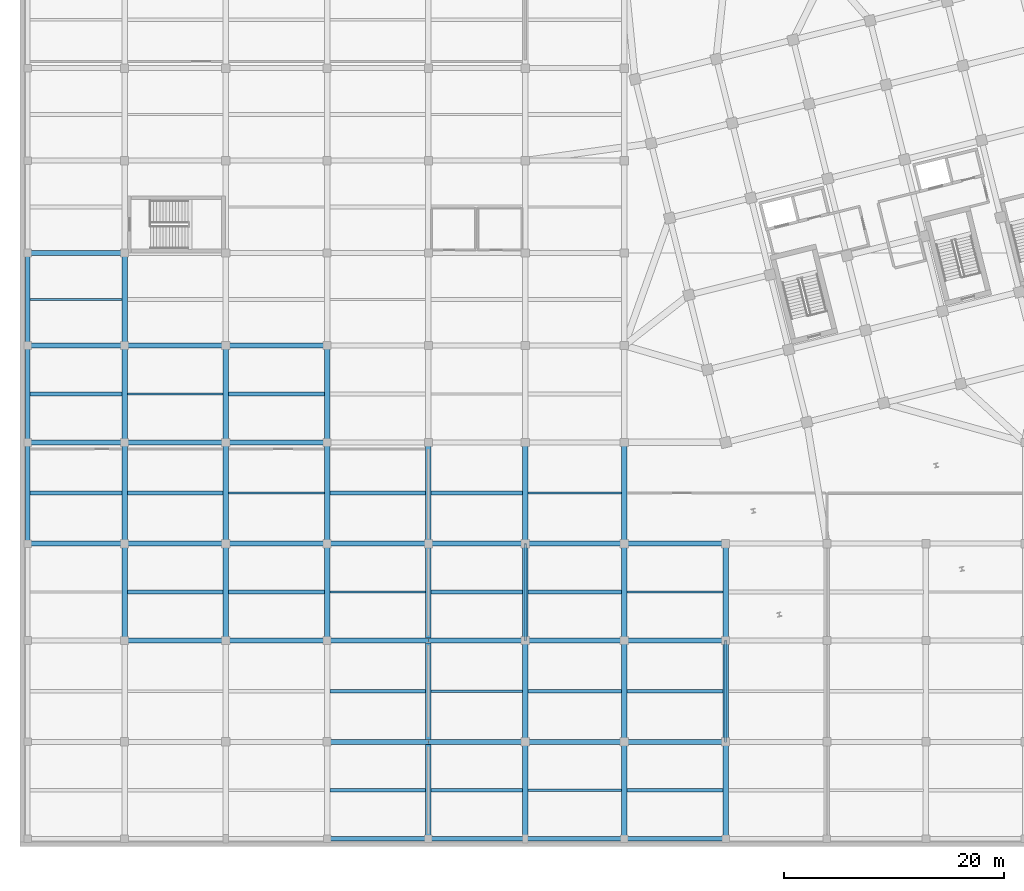
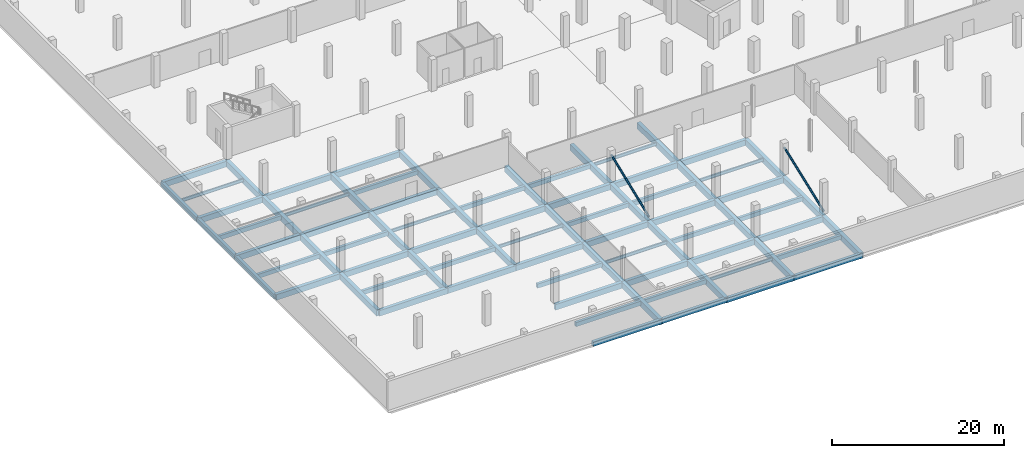
# One storey, part 8 of 31: 80 beams, 2 members.
"""IFC4 building model written with IfcOpenShell, lengths in metres."""

from ifc_helpers import new_model, si_unit, direction, frame, origin, origin_2d, place, context, subcontext, project, spatial, rectangle, hollow_circle, i_section, extrude, material, material_profile, profile_set, type_object, element, save


model = new_model("IFC4")

# Units and contexts
model_context = context("Model", 3, precision=1e-05, world=origin(), true_north=direction((0.0, 1.0)))
body_context = subcontext(model_context, "Body", "Model", "MODEL_VIEW")
ifc_project = project(units=[si_unit("LENGTHUNIT", "METRE"), si_unit("AREAUNIT", "SQUARE_METRE"), si_unit("VOLUMEUNIT", "CUBIC_METRE"), si_unit("PLANEANGLEUNIT", "RADIAN"), si_unit("MASSUNIT", "GRAM", prefix="KILO")], contexts=[model_context])

# Site, building, storey
site_placement = place(None, origin())
site = spatial("IfcSite", under=ifc_project, at=site_placement, CompositionType="ELEMENT")
building_placement = place(site_placement, origin())
building = spatial("IfcBuilding", under=site, at=building_placement, Name="Meriwether Solvik Hall", CompositionType="ELEMENT")
storey_placement = place(building_placement, frame((0.0, 0.0, -4.5)))
storey = spatial("IfcBuildingStorey", under=building, at=storey_placement, Name="B01", CompositionType="ELEMENT", Elevation=-4.5)

# Beams
ifc_material_1 = material(Name="Concrete C40/50", Category="concrete")
ifc_material_profile_1 = material_profile(ifc_material_1, rectangle(XDim=0.35009765625, YDim=0.60009765625, at=origin_2d()), Name="RCB-350X600")
ifc_profile_set_1 = profile_set([ifc_material_profile_1], Name="Concrete C40/50")
beam_type_1 = type_object("IfcBeamType", Name="BM-RC-350X600", PredefinedType="JOIST", material=ifc_profile_set_1)
for number, where, z_axis, x_axis, name in (
    (1, (5.39501953125, 36.60009765625, -0.6298828125), (1.0, 0.0, 0.0), (0.0, 1.0, 0.0), "Secondary Floor Joist 1/D (B01)"),
    (2, (5.39501953125, 45.60009765625, -0.6298828125), (1.0, 0.0, 0.0), (0.0, 1.0, 0.0), "Secondary Floor Joist 1/E (B01)"),
):
    element("IfcBeam", number, at=place(storey_placement, frame(where, z_axis=z_axis, x_axis=x_axis)), inside=storey, type_object=beam_type_1, Name=name, PredefinedType="JOIST", context=body_context, shape_type="SweptSolid", body=[
        extrude(rectangle(XDim=0.35009765625, YDim=0.60009765625, at=origin_2d()), origin(), (0.0, 0.0, 1.0), 8.35986328125),
    ])
for number, where, z_axis, x_axis, name in (
    (3, (14.2451171875, 27.60009765625, -0.6298828125), (1.0, 0.0, 0.0), (0.0, 1.0, 0.0), "Secondary Floor Joist 2/C (B01)"),
    (4, (14.2451171875, 36.60009765625, -0.6298828125), (1.0, 0.0, 0.0), (0.0, 1.0, 0.0), "Secondary Floor Joist 2/D (B01)"),
    (5, (23.445068359375, 27.60009765625, -0.6298828125), (1.0, 0.0, 0.0), (0.0, 1.0, 0.0), "Secondary Floor Joist 3/C (B01)"),
    (6, (23.445068359375, 45.60009765625, -0.6298828125), (1.0, 0.0, 0.0), (0.0, 1.0, 0.0), "Secondary Floor Joist 3/E (B01)"),
    (7, (32.64501953125, 9.60009765625, -0.6298828125), (1.0, 0.0, 0.0), (0.0, 1.0, 0.0), "Secondary Floor Joist 4/A (B01)"),
    (8, (32.64501953125, 18.60009765625, -0.6298828125), (1.0, 0.0, 0.0), (0.0, 1.0, 0.0), "Secondary Floor Joist 4/B (B01)"),
    (9, (32.64501953125, 36.60009765625, -0.6298828125), (1.0, 0.0, 0.0), (0.0, 1.0, 0.0), "Secondary Floor Joist 4/D (B01)"),
):
    element("IfcBeam", number, at=place(storey_placement, frame(where, z_axis=z_axis, x_axis=x_axis)), inside=storey, type_object=beam_type_1, Name=name, PredefinedType="JOIST", context=body_context, shape_type="SweptSolid", body=[
        extrude(rectangle(XDim=0.35009765625, YDim=0.60009765625, at=origin_2d()), origin(), (0.0, 0.0, 1.0), 8.7099609375),
    ])
for number, where, z_axis, x_axis, name in (
    (10, (41.844970703125, 9.60009765625, -0.6298828125), (1.0, 0.0, 0.0), (0.0, 1.0, 0.0), "Secondary Floor Joist 5/A (B01)"),
    (11, (41.844970703125, 27.60009765625, -0.6298828125), (1.0, 0.0, 0.0), (0.0, 1.0, 0.0), "Secondary Floor Joist 5/C (B01)"),
    (12, (41.844970703125, 36.60009765625, -0.6298828125), (1.0, 0.0, 0.0), (0.0, 1.0, 0.0), "Secondary Floor Joist 5/D (B01)"),
):
    element("IfcBeam", number, at=place(storey_placement, frame(where, z_axis=z_axis, x_axis=x_axis)), inside=storey, type_object=beam_type_1, Name=name, PredefinedType="JOIST", context=body_context, shape_type="SweptSolid", body=[
        extrude(rectangle(XDim=0.35009765625, YDim=0.60009765625, at=origin_2d()), origin(), (0.0, 0.0, 1.0), 8.31005859375),
    ])
for number, where, z_axis, x_axis, name in (
    (13, (50.64501953125, 18.60009765625, -0.699951171875), (1.0, 0.0, 0.0), (0.0, 1.0, 0.0), "Secondary Floor Joist 6/B (B01)"),
    (14, (50.64501953125, 27.60009765625, -0.699951171875), (1.0, 0.0, 0.0), (0.0, 1.0, 0.0), "Secondary Floor Joist 6/C (B01)"),
):
    element("IfcBeam", number, at=place(storey_placement, frame(where, z_axis=z_axis, x_axis=x_axis)), inside=storey, type_object=beam_type_1, Name=name, PredefinedType="JOIST", context=body_context, shape_type="SweptSolid", body=[
        extrude(rectangle(XDim=0.35009765625, YDim=0.60009765625, at=origin_2d()), origin(), (0.0, 0.0, 1.0), 8.510009765625),
    ])
for number, where, z_axis, x_axis, name in (
    (15, (59.64501953125, 9.60009765625, -0.699951171875), (1.0, 0.0, 0.0), (0.0, 1.0, 0.0), "Secondary Floor Joist 7/A (B01)"),
    (16, (59.64501953125, 18.60009765625, -0.699951171875), (1.0, 0.0, 0.0), (0.0, 1.0, 0.0), "Secondary Floor Joist 7/B (B01)"),
):
    element("IfcBeam", number, at=place(storey_placement, frame(where, z_axis=z_axis, x_axis=x_axis)), inside=storey, type_object=beam_type_1, Name=name, PredefinedType="JOIST", context=body_context, shape_type="SweptSolid", body=[
        extrude(rectangle(XDim=0.35009765625, YDim=0.60009765625, at=origin_2d()), origin(), (0.0, 0.0, 1.0), 8.7099609375),
    ])
ifc_material_2 = material(Name="Concrete C40/50", Category="concrete")
ifc_material_profile_2 = material_profile(ifc_material_2, rectangle(XDim=0.39990234375, YDim=0.64990234375, at=origin_2d()), Name="RCB-400X650")
ifc_profile_set_2 = profile_set([ifc_material_profile_2], Name="Concrete C40/50")
beam_type_2 = type_object("IfcBeamType", Name="BM-RC-400X650", PredefinedType="SPANDREL", material=ifc_profile_set_2)
beam_1_placement = place(storey_placement, frame((32.39990234375, 5.199951171875, -0.655029296875), z_axis=(1.0, 0.0, 0.0), x_axis=(0.0, 1.0, 0.0)))
element("IfcBeam", 17, at=beam_1_placement, inside=storey, type_object=beam_type_2, Name="Podium Girder A:4-5 (B01)", PredefinedType="SPANDREL", context=body_context, shape_type="SweptSolid", body=[
    extrude(rectangle(XDim=0.39990234375, YDim=0.64990234375, at=origin_2d()), origin(), (0.0, 0.0, 1.0), 9.2001953125),
])
beam_2_placement = place(storey_placement, frame((41.60009765625, 5.199951171875, -0.655029296875), z_axis=(1.0, 0.0, 0.0), x_axis=(0.0, 1.0, 0.0)))
element("IfcBeam", 18, at=beam_2_placement, inside=storey, type_object=beam_type_2, Name="Podium Girder A:5-6 (B01)", PredefinedType="SPANDREL", context=body_context, shape_type="SweptSolid", body=[
    extrude(rectangle(XDim=0.39990234375, YDim=0.64990234375, at=origin_2d()), origin(), (0.0, 0.0, 1.0), 8.7998046875),
])
beam_3_placement = place(storey_placement, frame((50.39990234375, 5.199951171875, -0.72509765625), z_axis=(1.0, 0.0, 0.0), x_axis=(0.0, 1.0, 0.0)))
element("IfcBeam", 19, at=beam_3_placement, inside=storey, type_object=beam_type_2, Name="Podium Girder A:6-7 (B01)", PredefinedType="SPANDREL", context=body_context, shape_type="SweptSolid", body=[
    extrude(rectangle(XDim=0.39990234375, YDim=0.64990234375, at=origin_2d()), origin(), (0.0, 0.0, 1.0), 9.0),
])
beam_4_placement = place(storey_placement, frame((59.39990234375, 5.199951171875, -0.72509765625), z_axis=(1.0, 0.0, 0.0), x_axis=(0.0, 1.0, 0.0)))
element("IfcBeam", 20, at=beam_4_placement, inside=storey, type_object=beam_type_2, Name="Podium Girder A:7-8 (B01)", PredefinedType="SPANDREL", context=body_context, shape_type="SweptSolid", body=[
    extrude(rectangle(XDim=0.39990234375, YDim=0.64990234375, at=origin_2d()), origin(), (0.0, 0.0, 1.0), 9.2001953125),
])
beam_5_placement = place(storey_placement, frame((5.199951171875, 32.0, -0.655029296875), z_axis=(0.0, 1.0, 0.0), x_axis=(-1.0, 0.0, 0.0)))
element("IfcBeam", 21, at=beam_5_placement, inside=storey, type_object=beam_type_2, Name="Podium Girder 1:D-E (B01)", PredefinedType="SPANDREL", context=body_context, shape_type="SweptSolid", body=[
    extrude(rectangle(XDim=0.39990234375, YDim=0.64990234375, at=origin_2d()), origin(), (0.0, 0.0, 1.0), 9.199951171875),
])
beam_6_placement = place(storey_placement, frame((5.199951171875, 41.199951171875, -0.655029296875), z_axis=(0.0, 1.0, 0.0), x_axis=(-1.0, 0.0, 0.0)))
element("IfcBeam", 22, at=beam_6_placement, inside=storey, type_object=beam_type_2, Name="Podium Girder 1:E-F (B01)", PredefinedType="SPANDREL", context=body_context, shape_type="SweptSolid", body=[
    extrude(rectangle(XDim=0.39990234375, YDim=0.64990234375, at=origin_2d()), origin(), (0.0, 0.0, 1.0), 8.800048828125),
])
beam_7_placement = place(storey_placement, frame((5.199951171875, 50.0, -0.655029296875), z_axis=(0.0, 1.0, 0.0), x_axis=(-1.0, 0.0, 0.0)))
element("IfcBeam", 23, at=beam_7_placement, inside=storey, type_object=beam_type_2, Name="Podium Girder 1:F-G (B01)", PredefinedType="SPANDREL", context=body_context, shape_type="SweptSolid", body=[
    extrude(rectangle(XDim=0.39990234375, YDim=0.64990234375, at=origin_2d()), origin(), (0.0, 0.0, 1.0), 8.39990234375),
])
ifc_material_3 = material(Name="Concrete C40/50", Category="concrete")
ifc_material_profile_3 = material_profile(ifc_material_3, rectangle(XDim=0.449951171875, YDim=0.800048828125, at=origin_2d()), Name="RCB-450X800")
ifc_profile_set_3 = profile_set([ifc_material_profile_3], Name="Concrete C40/50")
beam_type_3 = type_object("IfcBeamType", Name="BM-RC-450X800", PredefinedType="BEAM", material=ifc_profile_set_3)
beam_8_placement = place(storey_placement, frame((32.39990234375, 14.0, -0.72998046875), z_axis=(1.0, 0.0, 0.0), x_axis=(0.0, 1.0, 0.0)))
element("IfcBeam", 24, at=beam_8_placement, inside=storey, type_object=beam_type_3, Name="Podium Girder B:4-5 (B01)", PredefinedType="BEAM", context=body_context, shape_type="SweptSolid", body=[
    extrude(rectangle(XDim=0.449951171875, YDim=0.800048828125, at=origin_2d()), origin(), (0.0, 0.0, 1.0), 9.2001953125),
])
beam_9_placement = place(storey_placement, frame((41.60009765625, 14.0, -0.72998046875), z_axis=(1.0, 0.0, 0.0), x_axis=(0.0, 1.0, 0.0)))
element("IfcBeam", 25, at=beam_9_placement, inside=storey, type_object=beam_type_3, Name="Podium Girder B:5-6 (B01)", PredefinedType="BEAM", context=body_context, shape_type="SweptSolid", body=[
    extrude(rectangle(XDim=0.449951171875, YDim=0.800048828125, at=origin_2d()), origin(), (0.0, 0.0, 1.0), 8.7998046875),
])
beam_10_placement = place(storey_placement, frame((50.39990234375, 14.0, -0.800048828125), z_axis=(1.0, 0.0, 0.0), x_axis=(0.0, 1.0, 0.0)))
element("IfcBeam", 26, at=beam_10_placement, inside=storey, type_object=beam_type_3, Name="Podium Girder B:6-7 (B01)", PredefinedType="BEAM", context=body_context, shape_type="SweptSolid", body=[
    extrude(rectangle(XDim=0.449951171875, YDim=0.800048828125, at=origin_2d()), origin(), (0.0, 0.0, 1.0), 9.0),
])
beam_11_placement = place(storey_placement, frame((59.39990234375, 14.0, -0.800048828125), z_axis=(1.0, 0.0, 0.0), x_axis=(0.0, 1.0, 0.0)))
element("IfcBeam", 27, at=beam_11_placement, inside=storey, type_object=beam_type_3, Name="Podium Girder B:7-8 (B01)", PredefinedType="BEAM", context=body_context, shape_type="SweptSolid", body=[
    extrude(rectangle(XDim=0.449951171875, YDim=0.800048828125, at=origin_2d()), origin(), (0.0, 0.0, 1.0), 9.2001953125),
])
for number, where, z_axis, x_axis, name in (
    (28, (14.0, 23.199951171875, -0.72998046875), (1.0, 0.0, 0.0), (0.0, 1.0, 0.0), "Podium Girder C:2-3 (B01)"),
    (29, (23.199951171875, 23.199951171875, -0.72998046875), (1.0, 0.0, 0.0), (0.0, 1.0, 0.0), "Podium Girder C:3-4 (B01)"),
):
    element("IfcBeam", number, at=place(storey_placement, frame(where, z_axis=z_axis, x_axis=x_axis)), inside=storey, type_object=beam_type_3, Name=name, PredefinedType="BEAM", context=body_context, shape_type="SweptSolid", body=[
        extrude(rectangle(XDim=0.449951171875, YDim=0.800048828125, at=origin_2d()), origin(), (0.0, 0.0, 1.0), 9.199951171875),
    ])
beam_12_placement = place(storey_placement, frame((32.39990234375, 23.199951171875, -0.72998046875), z_axis=(1.0, 0.0, 0.0), x_axis=(0.0, 1.0, 0.0)))
element("IfcBeam", 30, at=beam_12_placement, inside=storey, type_object=beam_type_3, Name="Podium Girder C:4-5 (B01)", PredefinedType="BEAM", context=body_context, shape_type="SweptSolid", body=[
    extrude(rectangle(XDim=0.449951171875, YDim=0.800048828125, at=origin_2d()), origin(), (0.0, 0.0, 1.0), 9.2001953125),
])
beam_13_placement = place(storey_placement, frame((41.60009765625, 23.199951171875, -0.72998046875), z_axis=(1.0, 0.0, 0.0), x_axis=(0.0, 1.0, 0.0)))
element("IfcBeam", 31, at=beam_13_placement, inside=storey, type_object=beam_type_3, Name="Podium Girder C:5-6 (B01)", PredefinedType="BEAM", context=body_context, shape_type="SweptSolid", body=[
    extrude(rectangle(XDim=0.449951171875, YDim=0.800048828125, at=origin_2d()), origin(), (0.0, 0.0, 1.0), 8.7998046875),
])
beam_14_placement = place(storey_placement, frame((50.39990234375, 23.199951171875, -0.800048828125), z_axis=(1.0, 0.0, 0.0), x_axis=(0.0, 1.0, 0.0)))
element("IfcBeam", 32, at=beam_14_placement, inside=storey, type_object=beam_type_3, Name="Podium Girder C:6-7 (B01)", PredefinedType="BEAM", context=body_context, shape_type="SweptSolid", body=[
    extrude(rectangle(XDim=0.449951171875, YDim=0.800048828125, at=origin_2d()), origin(), (0.0, 0.0, 1.0), 9.0),
])
beam_15_placement = place(storey_placement, frame((59.39990234375, 23.199951171875, -0.800048828125), z_axis=(1.0, 0.0, 0.0), x_axis=(0.0, 1.0, 0.0)))
element("IfcBeam", 33, at=beam_15_placement, inside=storey, type_object=beam_type_3, Name="Podium Girder C:7-8 (B01)", PredefinedType="BEAM", context=body_context, shape_type="SweptSolid", body=[
    extrude(rectangle(XDim=0.449951171875, YDim=0.800048828125, at=origin_2d()), origin(), (0.0, 0.0, 1.0), 9.2001953125),
])
beam_16_placement = place(storey_placement, frame((5.199951171875, 32.0, -0.72998046875), z_axis=(1.0, 0.0, 0.0), x_axis=(0.0, 1.0, 0.0)))
element("IfcBeam", 34, at=beam_16_placement, inside=storey, type_object=beam_type_3, Name="Podium Girder D:1-2 (B01)", PredefinedType="BEAM", context=body_context, shape_type="SweptSolid", body=[
    extrude(rectangle(XDim=0.449951171875, YDim=0.800048828125, at=origin_2d()), origin(), (0.0, 0.0, 1.0), 8.800048828125),
])
for number, where, z_axis, x_axis, name in (
    (35, (14.0, 32.0, -0.72998046875), (1.0, 0.0, 0.0), (0.0, 1.0, 0.0), "Podium Girder D:2-3 (B01)"),
    (36, (23.199951171875, 32.0, -0.72998046875), (1.0, 0.0, 0.0), (0.0, 1.0, 0.0), "Podium Girder D:3-4 (B01)"),
):
    element("IfcBeam", number, at=place(storey_placement, frame(where, z_axis=z_axis, x_axis=x_axis)), inside=storey, type_object=beam_type_3, Name=name, PredefinedType="BEAM", context=body_context, shape_type="SweptSolid", body=[
        extrude(rectangle(XDim=0.449951171875, YDim=0.800048828125, at=origin_2d()), origin(), (0.0, 0.0, 1.0), 9.199951171875),
    ])
beam_17_placement = place(storey_placement, frame((32.39990234375, 32.0, -0.72998046875), z_axis=(1.0, 0.0, 0.0), x_axis=(0.0, 1.0, 0.0)))
element("IfcBeam", 37, at=beam_17_placement, inside=storey, type_object=beam_type_3, Name="Podium Girder D:4-5 (B01)", PredefinedType="BEAM", context=body_context, shape_type="SweptSolid", body=[
    extrude(rectangle(XDim=0.449951171875, YDim=0.800048828125, at=origin_2d()), origin(), (0.0, 0.0, 1.0), 9.2001953125),
])
beam_18_placement = place(storey_placement, frame((41.60009765625, 32.0, -0.72998046875), z_axis=(1.0, 0.0, 0.0), x_axis=(0.0, 1.0, 0.0)))
element("IfcBeam", 38, at=beam_18_placement, inside=storey, type_object=beam_type_3, Name="Podium Girder D:5-6 (B01)", PredefinedType="BEAM", context=body_context, shape_type="SweptSolid", body=[
    extrude(rectangle(XDim=0.449951171875, YDim=0.800048828125, at=origin_2d()), origin(), (0.0, 0.0, 1.0), 8.7998046875),
])
beam_19_placement = place(storey_placement, frame((50.39990234375, 32.0, -0.800048828125), z_axis=(1.0, 0.0, 0.0), x_axis=(0.0, 1.0, 0.0)))
element("IfcBeam", 39, at=beam_19_placement, inside=storey, type_object=beam_type_3, Name="Podium Girder D:6-7 (B01)", PredefinedType="BEAM", context=body_context, shape_type="SweptSolid", body=[
    extrude(rectangle(XDim=0.449951171875, YDim=0.800048828125, at=origin_2d()), origin(), (0.0, 0.0, 1.0), 9.0),
])
beam_20_placement = place(storey_placement, frame((59.39990234375, 32.0, -0.800048828125), z_axis=(1.0, 0.0, 0.0), x_axis=(0.0, 1.0, 0.0)))
element("IfcBeam", 40, at=beam_20_placement, inside=storey, type_object=beam_type_3, Name="Podium Girder D:7-8 (B01)", PredefinedType="BEAM", context=body_context, shape_type="SweptSolid", body=[
    extrude(rectangle(XDim=0.449951171875, YDim=0.800048828125, at=origin_2d()), origin(), (0.0, 0.0, 1.0), 9.2001953125),
])
beam_21_placement = place(storey_placement, frame((5.199951171875, 41.199951171875, -0.72998046875), z_axis=(1.0, 0.0, 0.0), x_axis=(0.0, 1.0, 0.0)))
element("IfcBeam", 41, at=beam_21_placement, inside=storey, type_object=beam_type_3, Name="Podium Girder E:1-2 (B01)", PredefinedType="BEAM", context=body_context, shape_type="SweptSolid", body=[
    extrude(rectangle(XDim=0.449951171875, YDim=0.800048828125, at=origin_2d()), origin(), (0.0, 0.0, 1.0), 8.800048828125),
])
for number, where, z_axis, x_axis, name in (
    (42, (14.0, 41.199951171875, -0.72998046875), (1.0, 0.0, 0.0), (0.0, 1.0, 0.0), "Podium Girder E:2-3 (B01)"),
    (43, (23.199951171875, 41.199951171875, -0.72998046875), (1.0, 0.0, 0.0), (0.0, 1.0, 0.0), "Podium Girder E:3-4 (B01)"),
):
    element("IfcBeam", number, at=place(storey_placement, frame(where, z_axis=z_axis, x_axis=x_axis)), inside=storey, type_object=beam_type_3, Name=name, PredefinedType="BEAM", context=body_context, shape_type="SweptSolid", body=[
        extrude(rectangle(XDim=0.449951171875, YDim=0.800048828125, at=origin_2d()), origin(), (0.0, 0.0, 1.0), 9.199951171875),
    ])
beam_22_placement = place(storey_placement, frame((5.199951171875, 50.0, -0.72998046875), z_axis=(1.0, 0.0, 0.0), x_axis=(0.0, 1.0, 0.0)))
element("IfcBeam", 44, at=beam_22_placement, inside=storey, type_object=beam_type_3, Name="Podium Girder F:1-2 (B01)", PredefinedType="BEAM", context=body_context, shape_type="SweptSolid", body=[
    extrude(rectangle(XDim=0.449951171875, YDim=0.800048828125, at=origin_2d()), origin(), (0.0, 0.0, 1.0), 8.800048828125),
])
for number, where, z_axis, x_axis, name in (
    (45, (14.0, 50.0, -0.72998046875), (1.0, 0.0, 0.0), (0.0, 1.0, 0.0), "Podium Girder F:2-3 (B01)"),
    (46, (23.199951171875, 50.0, -0.72998046875), (1.0, 0.0, 0.0), (0.0, 1.0, 0.0), "Podium Girder F:3-4 (B01)"),
):
    element("IfcBeam", number, at=place(storey_placement, frame(where, z_axis=z_axis, x_axis=x_axis)), inside=storey, type_object=beam_type_3, Name=name, PredefinedType="BEAM", context=body_context, shape_type="SweptSolid", body=[
        extrude(rectangle(XDim=0.449951171875, YDim=0.800048828125, at=origin_2d()), origin(), (0.0, 0.0, 1.0), 9.199951171875),
    ])
beam_23_placement = place(storey_placement, frame((5.199951171875, 58.39990234375, -0.72998046875), z_axis=(1.0, 0.0, 0.0), x_axis=(0.0, 1.0, 0.0)))
element("IfcBeam", 47, at=beam_23_placement, inside=storey, type_object=beam_type_3, Name="Podium Girder G:1-2 (B01)", PredefinedType="BEAM", context=body_context, shape_type="SweptSolid", body=[
    extrude(rectangle(XDim=0.449951171875, YDim=0.800048828125, at=origin_2d()), origin(), (0.0, 0.0, 1.0), 8.800048828125),
])
ifc_material_4 = material(Name="Concrete C40/50", Category="concrete")
ifc_material_profile_4 = material_profile(ifc_material_4, rectangle(XDim=0.5, YDim=0.85009765625, at=origin_2d()), Name="RCB-500X850")
ifc_profile_set_4 = profile_set([ifc_material_profile_4], Name="Concrete C40/50")
beam_type_4 = type_object("IfcBeamType", Name="BM-RC-500X850", PredefinedType="BEAM", material=ifc_profile_set_4)
beam_24_placement = place(storey_placement, frame((14.0, 23.199951171875, -0.7548828125), z_axis=(0.0, 1.0, 0.0), x_axis=(-1.0, 0.0, 0.0)))
element("IfcBeam", 48, at=beam_24_placement, inside=storey, type_object=beam_type_4, Name="Podium Girder 2:C-D (B01)", PredefinedType="BEAM", context=body_context, shape_type="SweptSolid", body=[
    extrude(rectangle(XDim=0.5, YDim=0.85009765625, at=origin_2d()), origin(), (0.0, 0.0, 1.0), 8.800048828125),
])
beam_25_placement = place(storey_placement, frame((14.0, 32.0, -0.7548828125), z_axis=(0.0, 1.0, 0.0), x_axis=(-1.0, 0.0, 0.0)))
element("IfcBeam", 49, at=beam_25_placement, inside=storey, type_object=beam_type_4, Name="Podium Girder 2:D-E (B01)", PredefinedType="BEAM", context=body_context, shape_type="SweptSolid", body=[
    extrude(rectangle(XDim=0.5, YDim=0.85009765625, at=origin_2d()), origin(), (0.0, 0.0, 1.0), 9.199951171875),
])
beam_26_placement = place(storey_placement, frame((14.0, 41.199951171875, -0.7548828125), z_axis=(0.0, 1.0, 0.0), x_axis=(-1.0, 0.0, 0.0)))
element("IfcBeam", 50, at=beam_26_placement, inside=storey, type_object=beam_type_4, Name="Podium Girder 2:E-F (B01)", PredefinedType="BEAM", context=body_context, shape_type="SweptSolid", body=[
    extrude(rectangle(XDim=0.5, YDim=0.85009765625, at=origin_2d()), origin(), (0.0, 0.0, 1.0), 8.800048828125),
])
beam_27_placement = place(storey_placement, frame((14.0, 50.0, -0.7548828125), z_axis=(0.0, 1.0, 0.0), x_axis=(-1.0, 0.0, 0.0)))
element("IfcBeam", 51, at=beam_27_placement, inside=storey, type_object=beam_type_4, Name="Podium Girder 2:F-G (B01)", PredefinedType="BEAM", context=body_context, shape_type="SweptSolid", body=[
    extrude(rectangle(XDim=0.5, YDim=0.85009765625, at=origin_2d()), origin(), (0.0, 0.0, 1.0), 8.39990234375),
])
beam_28_placement = place(storey_placement, frame((23.199951171875, 23.199951171875, -0.7548828125), z_axis=(0.0, 1.0, 0.0), x_axis=(-1.0, 0.0, 0.0)))
element("IfcBeam", 52, at=beam_28_placement, inside=storey, type_object=beam_type_4, Name="Podium Girder 3:C-D (B01)", PredefinedType="BEAM", context=body_context, shape_type="SweptSolid", body=[
    extrude(rectangle(XDim=0.5, YDim=0.85009765625, at=origin_2d()), origin(), (0.0, 0.0, 1.0), 8.800048828125),
])
beam_29_placement = place(storey_placement, frame((23.199951171875, 32.0, -0.7548828125), z_axis=(0.0, 1.0, 0.0), x_axis=(-1.0, 0.0, 0.0)))
element("IfcBeam", 53, at=beam_29_placement, inside=storey, type_object=beam_type_4, Name="Podium Girder 3:D-E (B01)", PredefinedType="BEAM", context=body_context, shape_type="SweptSolid", body=[
    extrude(rectangle(XDim=0.5, YDim=0.85009765625, at=origin_2d()), origin(), (0.0, 0.0, 1.0), 9.199951171875),
])
for number, where, z_axis, x_axis, name in (
    (54, (23.199951171875, 41.199951171875, -0.7548828125), (0.0, 1.0, 0.0), (-1.0, 0.0, 0.0), "Podium Girder 3:E-F (B01)"),
    (55, (32.39990234375, 23.199951171875, -0.7548828125), (0.0, 1.0, 0.0), (-1.0, 0.0, 0.0), "Podium Girder 4:C-D (B01)"),
):
    element("IfcBeam", number, at=place(storey_placement, frame(where, z_axis=z_axis, x_axis=x_axis)), inside=storey, type_object=beam_type_4, Name=name, PredefinedType="BEAM", context=body_context, shape_type="SweptSolid", body=[
        extrude(rectangle(XDim=0.5, YDim=0.85009765625, at=origin_2d()), origin(), (0.0, 0.0, 1.0), 8.800048828125),
    ])
beam_30_placement = place(storey_placement, frame((32.39990234375, 32.0, -0.7548828125), z_axis=(0.0, 1.0, 0.0), x_axis=(-1.0, 0.0, 0.0)))
element("IfcBeam", 56, at=beam_30_placement, inside=storey, type_object=beam_type_4, Name="Podium Girder 4:D-E (B01)", PredefinedType="BEAM", context=body_context, shape_type="SweptSolid", body=[
    extrude(rectangle(XDim=0.5, YDim=0.85009765625, at=origin_2d()), origin(), (0.0, 0.0, 1.0), 9.199951171875),
])
for number, where, z_axis, x_axis, name in (
    (57, (32.39990234375, 41.199951171875, -0.7548828125), (0.0, 1.0, 0.0), (-1.0, 0.0, 0.0), "Podium Girder 4:E-F (B01)"),
    (58, (41.60009765625, 5.199951171875, -0.7548828125), (0.0, 1.0, 0.0), (-1.0, 0.0, 0.0), "Podium Girder 5:A-B (B01)"),
):
    element("IfcBeam", number, at=place(storey_placement, frame(where, z_axis=z_axis, x_axis=x_axis)), inside=storey, type_object=beam_type_4, Name=name, PredefinedType="BEAM", context=body_context, shape_type="SweptSolid", body=[
        extrude(rectangle(XDim=0.5, YDim=0.85009765625, at=origin_2d()), origin(), (0.0, 0.0, 1.0), 8.800048828125),
    ])
beam_31_placement = place(storey_placement, frame((41.60009765625, 14.0, -0.7548828125), z_axis=(0.0, 1.0, 0.0), x_axis=(-1.0, 0.0, 0.0)))
element("IfcBeam", 59, at=beam_31_placement, inside=storey, type_object=beam_type_4, Name="Podium Girder 5:B-C (B01)", PredefinedType="BEAM", context=body_context, shape_type="SweptSolid", body=[
    extrude(rectangle(XDim=0.5, YDim=0.85009765625, at=origin_2d()), origin(), (0.0, 0.0, 1.0), 9.199951171875),
])
beam_32_placement = place(storey_placement, frame((41.60009765625, 23.199951171875, -0.7548828125), z_axis=(0.0, 1.0, 0.0), x_axis=(-1.0, 0.0, 0.0)))
element("IfcBeam", 60, at=beam_32_placement, inside=storey, type_object=beam_type_4, Name="Podium Girder 5:C-D (B01)", PredefinedType="BEAM", context=body_context, shape_type="SweptSolid", body=[
    extrude(rectangle(XDim=0.5, YDim=0.85009765625, at=origin_2d()), origin(), (0.0, 0.0, 1.0), 8.800048828125),
])
beam_33_placement = place(storey_placement, frame((41.60009765625, 32.0, -0.7548828125), z_axis=(0.0, 1.0, 0.0), x_axis=(-1.0, 0.0, 0.0)))
element("IfcBeam", 61, at=beam_33_placement, inside=storey, type_object=beam_type_4, Name="Podium Girder 5:D-E (B01)", PredefinedType="BEAM", context=body_context, shape_type="SweptSolid", body=[
    extrude(rectangle(XDim=0.5, YDim=0.85009765625, at=origin_2d()), origin(), (0.0, 0.0, 1.0), 9.199951171875),
])
beam_34_placement = place(storey_placement, frame((50.39990234375, 5.199951171875, -0.7548828125), z_axis=(0.0, 1.0, 0.0), x_axis=(-1.0, 0.0, 0.0)))
element("IfcBeam", 62, at=beam_34_placement, inside=storey, type_object=beam_type_4, Name="Podium Girder 6:A-B (B01)", PredefinedType="BEAM", context=body_context, shape_type="SweptSolid", body=[
    extrude(rectangle(XDim=0.5, YDim=0.85009765625, at=origin_2d()), origin(), (0.0, 0.0, 1.0), 8.800048828125),
])
beam_35_placement = place(storey_placement, frame((50.39990234375, 14.0, -0.7548828125), z_axis=(0.0, 1.0, 0.0), x_axis=(-1.0, 0.0, 0.0)))
element("IfcBeam", 63, at=beam_35_placement, inside=storey, type_object=beam_type_4, Name="Podium Girder 6:B-C (B01)", PredefinedType="BEAM", context=body_context, shape_type="SweptSolid", body=[
    extrude(rectangle(XDim=0.5, YDim=0.85009765625, at=origin_2d()), origin(), (0.0, 0.0, 1.0), 9.199951171875),
])
beam_36_placement = place(storey_placement, frame((50.39990234375, 23.199951171875, -0.7548828125), z_axis=(0.0, 1.0, 0.0), x_axis=(-1.0, 0.0, 0.0)))
element("IfcBeam", 64, at=beam_36_placement, inside=storey, type_object=beam_type_4, Name="Podium Girder 6:C-D (B01)", PredefinedType="BEAM", context=body_context, shape_type="SweptSolid", body=[
    extrude(rectangle(XDim=0.5, YDim=0.85009765625, at=origin_2d()), origin(), (0.0, 0.0, 1.0), 8.800048828125),
])
beam_37_placement = place(storey_placement, frame((50.39990234375, 32.0, -0.7548828125), z_axis=(0.0, 1.0, 0.0), x_axis=(-1.0, 0.0, 0.0)))
element("IfcBeam", 65, at=beam_37_placement, inside=storey, type_object=beam_type_4, Name="Podium Girder 6:D-E (B01)", PredefinedType="BEAM", context=body_context, shape_type="SweptSolid", body=[
    extrude(rectangle(XDim=0.5, YDim=0.85009765625, at=origin_2d()), origin(), (0.0, 0.0, 1.0), 9.199951171875),
])
beam_38_placement = place(storey_placement, frame((59.39990234375, 5.199951171875, -0.824951171875), z_axis=(0.0, 1.0, 0.0), x_axis=(-1.0, 0.0, 0.0)))
element("IfcBeam", 66, at=beam_38_placement, inside=storey, type_object=beam_type_4, Name="Podium Girder 7:A-B (B01)", PredefinedType="BEAM", context=body_context, shape_type="SweptSolid", body=[
    extrude(rectangle(XDim=0.5, YDim=0.85009765625, at=origin_2d()), origin(), (0.0, 0.0, 1.0), 8.800048828125),
])
beam_39_placement = place(storey_placement, frame((59.39990234375, 14.0, -0.824951171875), z_axis=(0.0, 1.0, 0.0), x_axis=(-1.0, 0.0, 0.0)))
element("IfcBeam", 67, at=beam_39_placement, inside=storey, type_object=beam_type_4, Name="Podium Girder 7:B-C (B01)", PredefinedType="BEAM", context=body_context, shape_type="SweptSolid", body=[
    extrude(rectangle(XDim=0.5, YDim=0.85009765625, at=origin_2d()), origin(), (0.0, 0.0, 1.0), 9.199951171875),
])
beam_40_placement = place(storey_placement, frame((59.39990234375, 23.199951171875, -0.824951171875), z_axis=(0.0, 1.0, 0.0), x_axis=(-1.0, 0.0, 0.0)))
element("IfcBeam", 68, at=beam_40_placement, inside=storey, type_object=beam_type_4, Name="Podium Girder 7:C-D (B01)", PredefinedType="BEAM", context=body_context, shape_type="SweptSolid", body=[
    extrude(rectangle(XDim=0.5, YDim=0.85009765625, at=origin_2d()), origin(), (0.0, 0.0, 1.0), 8.800048828125),
])
beam_41_placement = place(storey_placement, frame((59.39990234375, 32.0, -0.824951171875), z_axis=(0.0, 1.0, 0.0), x_axis=(-1.0, 0.0, 0.0)))
element("IfcBeam", 69, at=beam_41_placement, inside=storey, type_object=beam_type_4, Name="Podium Girder 7:D-E (B01)", PredefinedType="BEAM", context=body_context, shape_type="SweptSolid", body=[
    extrude(rectangle(XDim=0.5, YDim=0.85009765625, at=origin_2d()), origin(), (0.0, 0.0, 1.0), 9.199951171875),
])
beam_42_placement = place(storey_placement, frame((68.60009765625, 5.199951171875, -0.824951171875), z_axis=(0.0, 1.0, 0.0), x_axis=(-1.0, 0.0, 0.0)))
element("IfcBeam", 70, at=beam_42_placement, inside=storey, type_object=beam_type_4, Name="Podium Girder 8:A-B (B01)", PredefinedType="BEAM", context=body_context, shape_type="SweptSolid", body=[
    extrude(rectangle(XDim=0.5, YDim=0.85009765625, at=origin_2d()), origin(), (0.0, 0.0, 1.0), 8.800048828125),
])
beam_43_placement = place(storey_placement, frame((68.60009765625, 14.0, -0.824951171875), z_axis=(0.0, 1.0, 0.0), x_axis=(-1.0, 0.0, 0.0)))
element("IfcBeam", 71, at=beam_43_placement, inside=storey, type_object=beam_type_4, Name="Podium Girder 8:B-C (B01)", PredefinedType="BEAM", context=body_context, shape_type="SweptSolid", body=[
    extrude(rectangle(XDim=0.5, YDim=0.85009765625, at=origin_2d()), origin(), (0.0, 0.0, 1.0), 9.199951171875),
])
beam_44_placement = place(storey_placement, frame((68.60009765625, 23.199951171875, -0.824951171875), z_axis=(0.0, 1.0, 0.0), x_axis=(-1.0, 0.0, 0.0)))
element("IfcBeam", 72, at=beam_44_placement, inside=storey, type_object=beam_type_4, Name="Podium Girder 8:C-D (B01)", PredefinedType="BEAM", context=body_context, shape_type="SweptSolid", body=[
    extrude(rectangle(XDim=0.5, YDim=0.85009765625, at=origin_2d()), origin(), (0.0, 0.0, 1.0), 8.800048828125),
])
ifc_material_5 = material(Name="Steel A992 Grade 50", Category="steel")
ifc_material_profile_5 = material_profile(ifc_material_5, i_section(OverallWidth=0.19091796875, OverallDepth=0.45703125, WebThickness=0.009033203125, FlangeThickness=0.014404296875, at=origin_2d()), Name="W18X50")
ifc_profile_set_5 = profile_set([ifc_material_profile_5], Name="Steel A992 Grade 50")
beam_type_5 = type_object("IfcBeamType", Name="BM-STL-W18X50", PredefinedType="JOIST", material=ifc_profile_set_5)
beam_45_placement = place(storey_placement, frame((5.39501953125, 54.199951171875, -0.55859375), z_axis=(1.0, 0.0, 0.0), x_axis=(0.0, 1.0, 0.0)))
element("IfcBeam", 73, at=beam_45_placement, inside=storey, type_object=beam_type_5, Name="Secondary Floor Joist 1/F (B01)", PredefinedType="JOIST", context=body_context, shape_type="SweptSolid", body=[
    extrude(i_section(OverallWidth=0.19091796875, OverallDepth=0.45703125, WebThickness=0.009033203125, FlangeThickness=0.014404296875, at=origin_2d()), origin(), (0.0, 0.0, 1.0), 8.35986328125),
])
for number, where, z_axis, x_axis, name in (
    (74, (14.2451171875, 45.60009765625, -0.55859375), (1.0, 0.0, 0.0), (0.0, 1.0, 0.0), "Secondary Floor Joist 2/E (B01)"),
    (75, (23.445068359375, 36.60009765625, -0.55859375), (1.0, 0.0, 0.0), (0.0, 1.0, 0.0), "Secondary Floor Joist 3/D (B01)"),
    (76, (32.64501953125, 27.60009765625, -0.55859375), (1.0, 0.0, 0.0), (0.0, 1.0, 0.0), "Secondary Floor Joist 4/C (B01)"),
):
    element("IfcBeam", number, at=place(storey_placement, frame(where, z_axis=z_axis, x_axis=x_axis)), inside=storey, type_object=beam_type_5, Name=name, PredefinedType="JOIST", context=body_context, shape_type="SweptSolid", body=[
        extrude(i_section(OverallWidth=0.19091796875, OverallDepth=0.45703125, WebThickness=0.009033203125, FlangeThickness=0.014404296875, at=origin_2d()), origin(), (0.0, 0.0, 1.0), 8.7099609375),
    ])
beam_46_placement = place(storey_placement, frame((41.844970703125, 18.60009765625, -0.55859375), z_axis=(1.0, 0.0, 0.0), x_axis=(0.0, 1.0, 0.0)))
element("IfcBeam", 77, at=beam_46_placement, inside=storey, type_object=beam_type_5, Name="Secondary Floor Joist 5/B (B01)", PredefinedType="JOIST", context=body_context, shape_type="SweptSolid", body=[
    extrude(i_section(OverallWidth=0.19091796875, OverallDepth=0.45703125, WebThickness=0.009033203125, FlangeThickness=0.014404296875, at=origin_2d()), origin(), (0.0, 0.0, 1.0), 8.31005859375),
])
for number, where, z_axis, x_axis, name in (
    (78, (50.64501953125, 9.60009765625, -0.62841796875), (1.0, 0.0, 0.0), (0.0, 1.0, 0.0), "Secondary Floor Joist 6/A (B01)"),
    (79, (50.64501953125, 36.60009765625, -0.62841796875), (1.0, 0.0, 0.0), (0.0, 1.0, 0.0), "Secondary Floor Joist 6/D (B01)"),
):
    element("IfcBeam", number, at=place(storey_placement, frame(where, z_axis=z_axis, x_axis=x_axis)), inside=storey, type_object=beam_type_5, Name=name, PredefinedType="JOIST", context=body_context, shape_type="SweptSolid", body=[
        extrude(i_section(OverallWidth=0.19091796875, OverallDepth=0.45703125, WebThickness=0.009033203125, FlangeThickness=0.014404296875, at=origin_2d()), origin(), (0.0, 0.0, 1.0), 8.510009765625),
    ])
beam_47_placement = place(storey_placement, frame((59.64501953125, 27.60009765625, -0.62841796875), z_axis=(1.0, 0.0, 0.0), x_axis=(0.0, 1.0, 0.0)))
element("IfcBeam", 80, at=beam_47_placement, inside=storey, type_object=beam_type_5, Name="Secondary Floor Joist 7/C (B01)", PredefinedType="JOIST", context=body_context, shape_type="SweptSolid", body=[
    extrude(i_section(OverallWidth=0.19091796875, OverallDepth=0.45703125, WebThickness=0.009033203125, FlangeThickness=0.014404296875, at=origin_2d()), origin(), (0.0, 0.0, 1.0), 8.7099609375),
])

# Members
ifc_material_6 = material(Name="Steel A500 Grade C", Category="steel")
ifc_material_profile_6 = material_profile(ifc_material_6, hollow_circle(Radius=0.136474609375, WallThickness=0.0126953125, at=origin_2d()), Name="CHS273X12.7")
ifc_profile_set_6 = profile_set([ifc_material_profile_6], Name="Steel A500 Grade C")
member_type = type_object("IfcMemberType", Name="MEM-BR-CHS273", PredefinedType="BRACE", material=ifc_profile_set_6)
member_1_placement = place(storey_placement, frame((50.39990234375, 23.199951171875, 0.14990234375), z_axis=(0.0, 0.929566475668, 0.368654536543), x_axis=(-1.0, 0.0, 0.0)))
element("IfcMember", 81, at=member_1_placement, inside=storey, type_object=member_type, Name="Podium Diagonal Brace B01-PB1", PredefinedType="BRACE", context=body_context, shape_type="SweptSolid", body=[
    extrude(hollow_circle(Radius=0.136474609375, WallThickness=0.0126953125, at=origin_2d()), origin(), (0.0, 0.0, 1.0), 9.466796875),
])
member_2_placement = place(storey_placement, frame((68.60009765625, 14.0, 0.14990234375), z_axis=(0.0, 0.934985609903, 0.35468564853), x_axis=(-1.0, 0.0, 0.0)))
element("IfcMember", 82, at=member_2_placement, inside=storey, type_object=member_type, Name="Podium Diagonal Brace B01-PB2", PredefinedType="BRACE", context=body_context, shape_type="SweptSolid", body=[
    extrude(hollow_circle(Radius=0.136474609375, WallThickness=0.0126953125, at=origin_2d()), origin(), (0.0, 0.0, 1.0), 9.839599609375),
])

save(model, "model.ifc")
